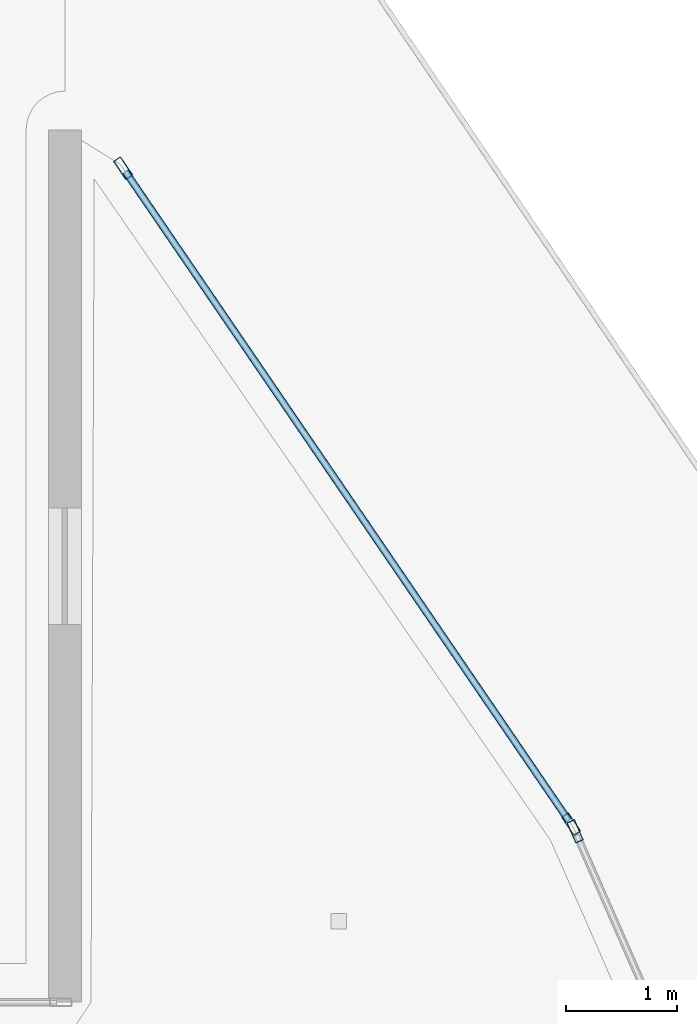
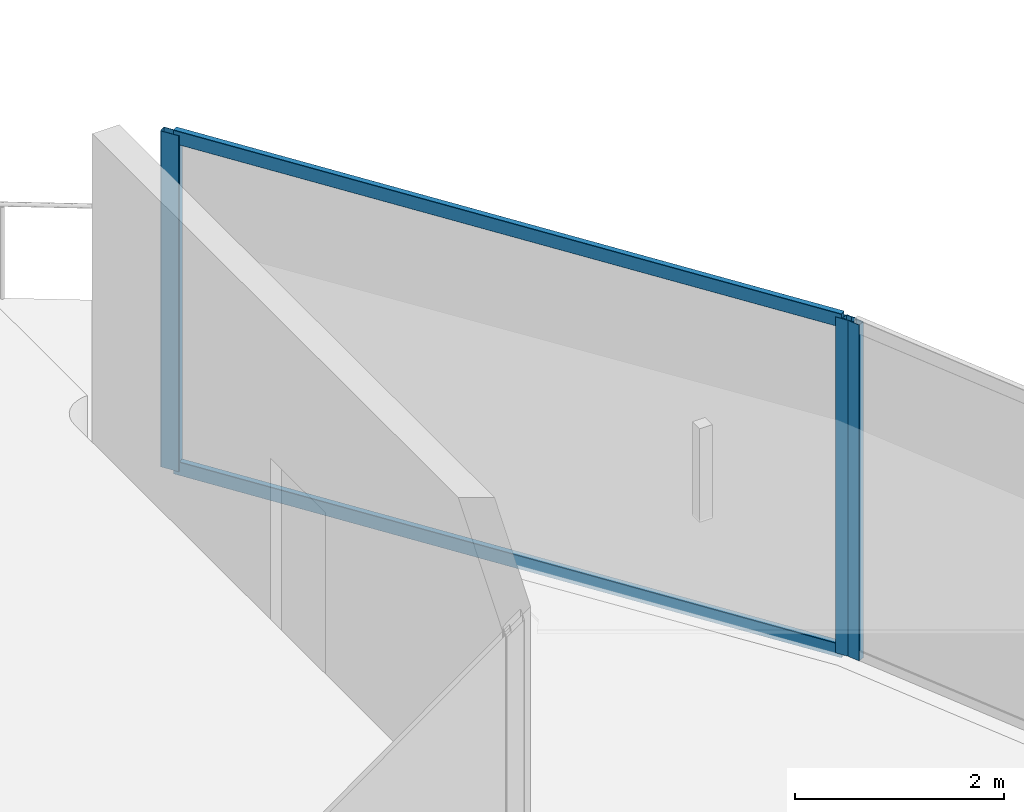
# One storey, part 23 of 47: 5 members, 2 elements without a shape of their own.
"""IFC4 building model written with IfcOpenShell, lengths in metres."""

from ifc_helpers import new_model, si_unit, direction, frame, origin, origin_2d, place, context, subcontext, project, spatial, hollow_rectangle, extrude, material, layer, layer_set, material_profile, profile_set, type_object, element, aggregate, save


model = new_model("IFC4")

# Units and contexts
model_context = context("Model", 3, precision=1e-05, world=origin(), true_north=direction((0.0, 1.0)))
body_context = subcontext(model_context, "Body", "Model", "MODEL_VIEW")
ifc_project = project(units=[si_unit("LENGTHUNIT", "METRE"), si_unit("AREAUNIT", "SQUARE_METRE"), si_unit("VOLUMEUNIT", "CUBIC_METRE"), si_unit("PLANEANGLEUNIT", "RADIAN"), si_unit("MASSUNIT", "GRAM", prefix="KILO")], contexts=[model_context])

# Site, building, storey
site_placement = place(None, origin())
site = spatial("IfcSite", under=ifc_project, at=site_placement, CompositionType="ELEMENT")
building_placement = place(site_placement, origin())
building = spatial("IfcBuilding", under=site, at=building_placement, Name="Qorvath Tower", CompositionType="ELEMENT")
storey_placement = place(building_placement, frame((0.0, 0.0, 74.39990234375)))
storey = spatial("IfcBuildingStorey", under=building, at=storey_placement, Name="L16", CompositionType="ELEMENT", Elevation=74.39990234375)

# Curtain wall, member
ifc_material_1 = material(Name="Anodised aluminium and triple low-E glass", Category="aluminium")
ifc_layer = layer(ifc_material_1, 0.179931640625)
ifc_layer_set = layer_set([ifc_layer], Name="CW-SYS-5")
curtain_wall_type = type_object("IfcCurtainWallType", Name="CW-SYS-5", PredefinedType="NOTDEFINED", material=ifc_layer_set)
curtain_wall_1_placement = place(storey_placement, origin())
curtain_wall_1 = element("IfcCurtainWall", 1, at=curtain_wall_1_placement, inside=storey, type_object=curtain_wall_type, Name="Curtain Wall CW-5 CW-T-L16-16.1", PredefinedType="NOTDEFINED")
ifc_material_2 = material(Name="Anodised aluminium 6063-T6", Category="aluminium")
ifc_material_profile_1 = material_profile(ifc_material_2, hollow_rectangle(XDim=0.074951171875, YDim=0.199951171875, WallThickness=0.00390625, InnerFilletRadius=0.00390625, OuterFilletRadius=0.008056640625, at=origin_2d()), Name="CWM 200x75")
ifc_profile_set_1 = profile_set([ifc_material_profile_1], Name="Anodised aluminium 6063-T6")
member_type_1 = type_object("IfcMemberType", Name="CWM-200", PredefinedType="MULLION", material=ifc_profile_set_1)
member_1_placement = place(storey_placement, frame((1.637939453125, 18.820556640625, 0.0), z_axis=(0.0, 0.0, 1.0), x_axis=(-0.915913444211, -0.401375837231, 0.0)))
member_1 = element("IfcMember", 2, at=member_1_placement, type_object=member_type_1, Name="CW-5 mullion 2", PredefinedType="MULLION", context=body_context, shape_type="SweptSolid", body=[
    extrude(hollow_rectangle(XDim=0.074951171875, YDim=0.199951171875, WallThickness=0.00390625, InnerFilletRadius=0.00390625, OuterFilletRadius=0.008056640625, at=origin_2d()), origin(), (0.0, 0.0, 1.0), 3.920166015625),
])
aggregate(curtain_wall_1, [member_1])

# Curtain wall, members
curtain_wall_2_placement = place(storey_placement, origin())
curtain_wall_2 = element("IfcCurtainWall", 3, at=curtain_wall_2_placement, inside=storey, type_object=curtain_wall_type, Name="Curtain Wall CW-5 CW-T-L16-17.1", PredefinedType="NOTDEFINED")
member_2_placement = place(storey_placement, frame((1.6015625, 18.885986328125, 0.0), z_axis=(0.0, 0.0, 1.0), x_axis=(-0.825776009163, -0.563998211602, 0.0)))
member_2 = element("IfcMember", 4, at=member_2_placement, type_object=member_type_1, Name="CW-5 mullion 1", PredefinedType="MULLION", context=body_context, shape_type="SweptSolid", body=[
    extrude(hollow_rectangle(XDim=0.074951171875, YDim=0.199951171875, WallThickness=0.00390625, InnerFilletRadius=0.00390625, OuterFilletRadius=0.008056640625, at=origin_2d()), origin(), (0.0, 0.0, 1.0), 3.920166015625),
])
member_3_placement = place(storey_placement, frame((-2.43505859375, 24.79638671875, 0.0), z_axis=(0.0, 0.0, 1.0), x_axis=(-0.825776009163, -0.563998211602, 0.0)))
member_3 = element("IfcMember", 5, at=member_3_placement, type_object=member_type_1, Name="CW-5 mullion 2", PredefinedType="MULLION", context=body_context, shape_type="SweptSolid", body=[
    extrude(hollow_rectangle(XDim=0.074951171875, YDim=0.199951171875, WallThickness=0.00390625, InnerFilletRadius=0.00390625, OuterFilletRadius=0.008056640625, at=origin_2d()), origin(), (0.0, 0.0, 1.0), 3.920166015625),
])
ifc_material_3 = material(Name="Anodised aluminium 6063-T6", Category="aluminium")
ifc_material_profile_2 = material_profile(ifc_material_3, hollow_rectangle(XDim=0.06494140625, YDim=0.159912109375, WallThickness=0.00341796875, InnerFilletRadius=0.00341796875, OuterFilletRadius=0.007080078125, at=origin_2d()), Name="CWT 160x65")
ifc_profile_set_2 = profile_set([ifc_material_profile_2], Name="Anodised aluminium 6063-T6")
member_type_2 = type_object("IfcMemberType", Name="CWT-160", PredefinedType="USERDEFINED", material=ifc_profile_set_2)
member_4_placement = place(storey_placement, frame((1.58056640625, 18.9169921875, 0.032470703125), z_axis=(-0.564020127161, 0.825761040591, 0.0), x_axis=(-0.825761040591, -0.564020127161, 0.0)))
member_4 = element("IfcMember", 6, at=member_4_placement, type_object=member_type_2, Name="CW-5 transom 1.1", ObjectType="TRANSOM", PredefinedType="USERDEFINED", context=body_context, shape_type="SweptSolid", body=[
    extrude(hollow_rectangle(XDim=0.06494140625, YDim=0.159912109375, WallThickness=0.00341796875, InnerFilletRadius=0.00341796875, OuterFilletRadius=0.007080078125, at=origin_2d()), origin(), (0.0, 0.0, 1.0), 7.08251953125),
])
member_5_placement = place(storey_placement, frame((1.58056640625, 18.9169921875, 3.8876953125), z_axis=(-0.564020127161, 0.825761040591, 0.0), x_axis=(-0.825761040591, -0.564020127161, 0.0)))
member_5 = element("IfcMember", 7, at=member_5_placement, type_object=member_type_2, Name="CW-5 transom 1.2", ObjectType="TRANSOM", PredefinedType="USERDEFINED", context=body_context, shape_type="SweptSolid", body=[
    extrude(hollow_rectangle(XDim=0.06494140625, YDim=0.159912109375, WallThickness=0.00341796875, InnerFilletRadius=0.00341796875, OuterFilletRadius=0.007080078125, at=origin_2d()), origin(), (0.0, 0.0, 1.0), 7.08251953125),
])
aggregate(curtain_wall_2, [member_2, member_3, member_4, member_5])

save(model, "model.ifc")
